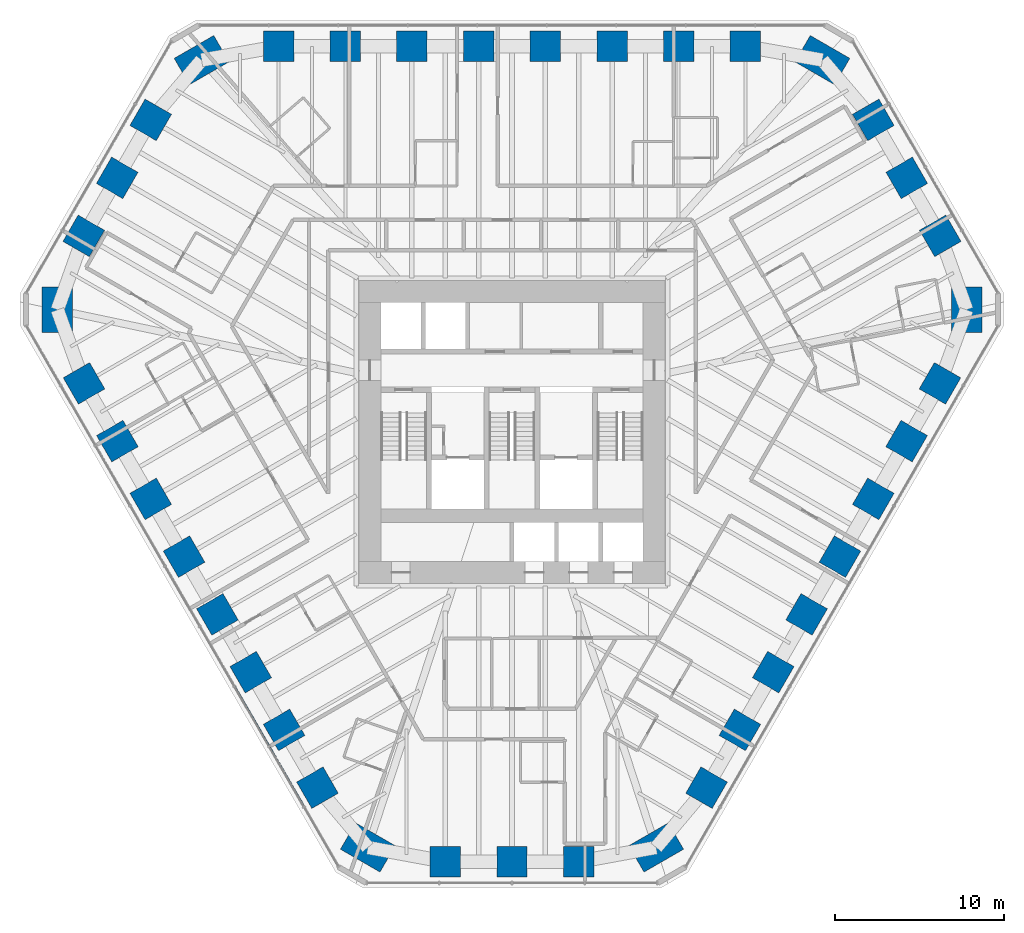
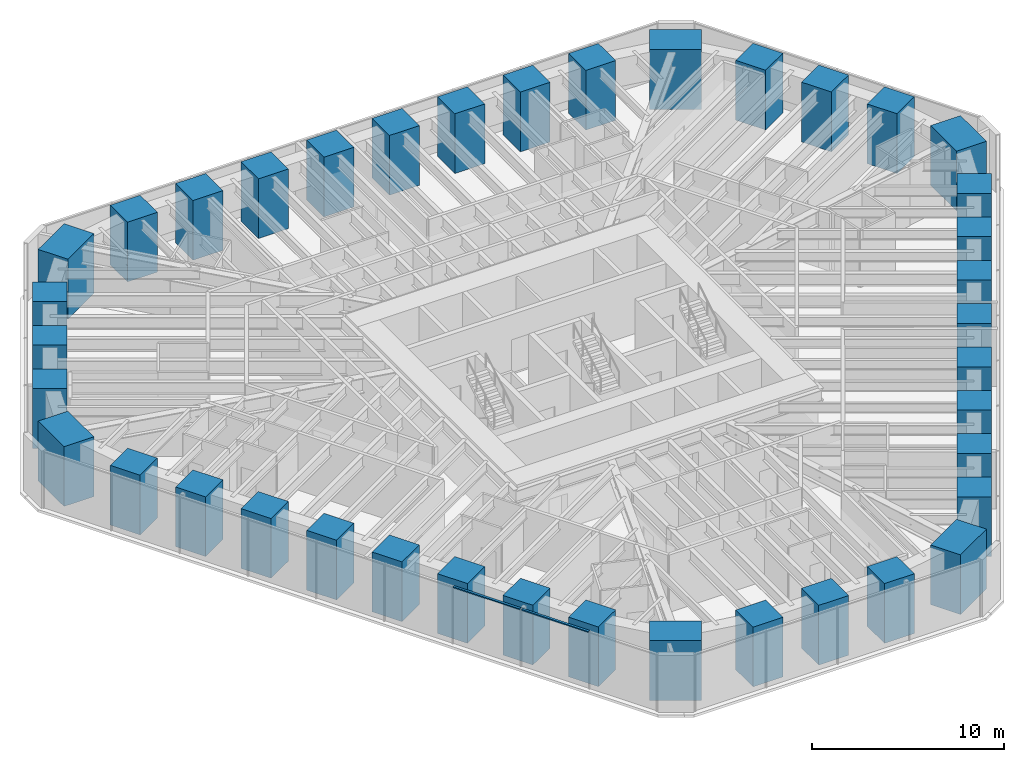
# One storey, part 1 of 17: 39 columns, 2 members, 1 element without a shape of its own.
"""IFC4 building model written with IfcOpenShell, lengths in metres."""

from ifc_helpers import new_model, si_unit, direction, frame, origin, origin_2d, place, context, subcontext, project, spatial, rectangle, extrude, material, material_profile, profile_set, type_object, element, aggregate, save


model = new_model("IFC4")

# Units and contexts
model_context = context("Model", 3, precision=1e-05, world=origin(), true_north=direction((0.0, 1.0)))
body_context = subcontext(model_context, "Body", "Model", "MODEL_VIEW")
ifc_project = project(units=[si_unit("LENGTHUNIT", "METRE"), si_unit("AREAUNIT", "SQUARE_METRE"), si_unit("VOLUMEUNIT", "CUBIC_METRE"), si_unit("PLANEANGLEUNIT", "RADIAN"), si_unit("MASSUNIT", "GRAM", prefix="KILO")], contexts=[model_context])

# Site, building, storey
site_placement = place(None, origin())
site = spatial("IfcSite", under=ifc_project, at=site_placement, CompositionType="ELEMENT")
building_placement = place(site_placement, origin())
building = spatial("IfcBuilding", under=site, at=building_placement, Name="Sandreach Pilgrim Tower", CompositionType="ELEMENT")
storey_placement = place(building_placement, frame((0.0, 0.0, 142.39990234375)))
storey = spatial("IfcBuildingStorey", under=building, at=storey_placement, Name="L35", CompositionType="ELEMENT", Elevation=142.39990234375)

# Columns
ifc_material_1 = material(Name="Concrete 10000 psi", Category="concrete")
ifc_material_profile_1 = material_profile(ifc_material_1, rectangle(XDim=1.800048828125, YDim=1.800048828125, at=origin_2d()), Name="RC1800X1800")
ifc_profile_set_1 = profile_set([ifc_material_profile_1], Name="Concrete 10000 psi")
column_type_1 = type_object("IfcColumnType", Name="Tube column RC1800X1800", PredefinedType="COLUMN", material=ifc_profile_set_1)
for number, where, z_axis, x_axis, name in (
    (1, (-13.789794921875, 21.23388671875, 0.0), (0.0, 0.0, 1.0), (0.0, 1.0, 0.0), "COL L35 T01"),
    (2, (-9.849853515625, 21.23388671875, 0.0), (0.0, 0.0, 1.0), (0.0, 1.0, 0.0), "COL L35 T02"),
    (3, (-5.909912109375, 21.23388671875, 0.0), (0.0, 0.0, 1.0), (0.0, 1.0, 0.0), "COL L35 T03"),
    (4, (-1.969970703125, 21.23388671875, 0.0), (0.0, 0.0, 1.0), (0.0, 1.0, 0.0), "COL L35 T04"),
    (5, (1.969970703125, 21.23388671875, 0.0), (0.0, 0.0, 1.0), (0.0, 1.0, 0.0), "COL L35 T05"),
    (6, (5.909912109375, 21.23388671875, 0.0), (0.0, 0.0, 1.0), (0.0, 1.0, 0.0), "COL L35 T06"),
    (7, (9.849853515625, 21.23388671875, 0.0), (0.0, 0.0, 1.0), (0.0, 1.0, 0.0), "COL L35 T07"),
    (8, (13.789794921875, 21.23388671875, 0.0), (0.0, 0.0, 1.0), (0.0, 1.0, 0.0), "COL L35 T08"),
    (9, (21.346435546875, 16.891357421875, 0.0), (0.0, 0.0, 1.0), (0.866025403784, 0.5, 0.0), "COL L35 T10"),
    (10, (23.323974609375, 13.466064453125, 0.0), (0.0, 0.0, 1.0), (0.866025403784, 0.5, 0.0), "COL L35 T11"),
    (11, (25.301513671875, 10.040771484375, 0.0), (0.0, 0.0, 1.0), (0.866025403784, 0.5, 0.0), "COL L35 T12"),
    (12, (25.283935546875, 1.325439453125, 0.0), (0.0, 0.0, 1.0), (0.866025403784, -0.5, 0.0), "COL L35 T14"),
    (13, (23.31396484375, -2.086669921875, 0.0), (0.0, 0.0, 1.0), (0.866025403784, -0.5, 0.0), "COL L35 T15"),
    (14, (21.343994140625, -5.498779296875, 0.0), (0.0, 0.0, 1.0), (0.866025403784, -0.5, 0.0), "COL L35 T16"),
    (15, (19.3740234375, -8.910888671875, 0.0), (0.0, 0.0, 1.0), (0.866025403784, -0.5, 0.0), "COL L35 T17"),
    (16, (17.404052734375, -12.322998046875, 0.0), (0.0, 0.0, 1.0), (0.866025403784, -0.5, 0.0), "COL L35 T18"),
    (17, (15.43408203125, -15.735107421875, 0.0), (0.0, 0.0, 1.0), (0.866025403784, -0.5, 0.0), "COL L35 T19"),
    (18, (13.464111328125, -19.147216796875, 0.0), (0.0, 0.0, 1.0), (0.866025403784, -0.5, 0.0), "COL L35 T20"),
    (19, (11.494140625, -22.559326171875, 0.0), (0.0, 0.0, 1.0), (0.866025403784, -0.5, 0.0), "COL L35 T21"),
    (20, (3.955322265625, -26.93212890625, 0.0), (0.0, 0.0, 1.0), (0.0, -1.0, 0.0), "COL L35 T23"),
    (21, (0.0, -26.93212890625, 0.0), (0.0, 0.0, 1.0), (0.0, -1.0, 0.0), "COL L35 T24"),
    (22, (-3.955322265625, -26.93212890625, 0.0), (0.0, 0.0, 1.0), (0.0, -1.0, 0.0), "COL L35 T25"),
    (23, (-11.494140625, -22.559326171875, 0.0), (0.0, 0.0, 1.0), (-0.866025403784, -0.5, 0.0), "COL L35 T27"),
    (24, (-13.464111328125, -19.147216796875, 0.0), (0.0, 0.0, 1.0), (-0.866025403784, -0.5, 0.0), "COL L35 T28"),
    (25, (-15.43408203125, -15.735107421875, 0.0), (0.0, 0.0, 1.0), (-0.866025403784, -0.5, 0.0), "COL L35 T29"),
    (26, (-17.404052734375, -12.322998046875, 0.0), (0.0, 0.0, 1.0), (-0.866025403784, -0.5, 0.0), "COL L35 T30"),
    (27, (-19.3740234375, -8.910888671875, 0.0), (0.0, 0.0, 1.0), (-0.866025403784, -0.5, 0.0), "COL L35 T31"),
    (28, (-21.343994140625, -5.498779296875, 0.0), (0.0, 0.0, 1.0), (-0.866025403784, -0.5, 0.0), "COL L35 T32"),
    (29, (-23.31396484375, -2.086669921875, 0.0), (0.0, 0.0, 1.0), (-0.866025403784, -0.5, 0.0), "COL L35 T33"),
    (30, (-25.283935546875, 1.325439453125, 0.0), (0.0, 0.0, 1.0), (-0.866025403784, -0.5, 0.0), "COL L35 T34"),
    (31, (-25.301513671875, 10.040771484375, 0.0), (0.0, 0.0, 1.0), (-0.866025403784, 0.5, 0.0), "COL L35 T36"),
    (32, (-23.323974609375, 13.466064453125, 0.0), (0.0, 0.0, 1.0), (-0.866025403784, 0.5, 0.0), "COL L35 T37"),
    (33, (-21.346435546875, 16.891357421875, 0.0), (0.0, 0.0, 1.0), (-0.866025403784, 0.5, 0.0), "COL L35 T38"),
):
    element("IfcColumn", number, at=place(storey_placement, frame(where, z_axis=z_axis, x_axis=x_axis)), inside=storey, type_object=column_type_1, Name=name, PredefinedType="COLUMN", context=body_context, shape_type="SweptSolid", body=[
        extrude(rectangle(XDim=1.800048828125, YDim=1.800048828125, at=origin_2d()), origin(), (0.0, 0.0, 1.0), 3.800048828125),
    ])
ifc_material_2 = material(Name="Concrete 10000 psi", Category="concrete")
ifc_material_profile_2 = material_profile(ifc_material_2, rectangle(XDim=1.800048828125, YDim=2.699951171875, at=origin_2d()), Name="RC1800X2700")
ifc_profile_set_2 = profile_set([ifc_material_profile_2], Name="Concrete 10000 psi")
column_type_2 = type_object("IfcColumnType", Name="Tube corner pier RC1800X2700", PredefinedType="COLUMN", material=ifc_profile_set_2)
for number, where, z_axis, x_axis, name in (
    (34, (18.33935546875, 20.423828125, 0.0), (0.0, 0.0, 1.0), (0.5, 0.866025403784, 0.0), "COL L35 T09"),
    (35, (26.857177734375, 5.67041015625, 0.0), (0.0, 0.0, 1.0), (1.0, 0.0, 0.0), "COL L35 T13"),
    (36, (8.517822265625, -26.09423828125, 0.0), (0.0, 0.0, 1.0), (0.5, -0.866025403784, 0.0), "COL L35 T22"),
    (37, (-8.517822265625, -26.09423828125, 0.0), (0.0, 0.0, 1.0), (-0.5, -0.866025403784, 0.0), "COL L35 T26"),
    (38, (-26.857177734375, 5.67041015625, 0.0), (0.0, 0.0, 1.0), (-1.0, 0.0, 0.0), "COL L35 T35"),
    (39, (-18.33935546875, 20.423828125, 0.0), (0.0, 0.0, 1.0), (-0.5, 0.866025403784, 0.0), "COL L35 T39"),
):
    element("IfcColumn", number, at=place(storey_placement, frame(where, z_axis=z_axis, x_axis=x_axis)), inside=storey, type_object=column_type_2, Name=name, PredefinedType="COLUMN", context=body_context, shape_type="SweptSolid", body=[
        extrude(rectangle(XDim=1.800048828125, YDim=2.699951171875, at=origin_2d()), origin(), (0.0, 0.0, 1.0), 3.800048828125),
    ])

# Curtain wall, members
ifc_material_3 = material(Name="Aluminium framed curtain wall", Category="aluminium")
curtain_wall_type = type_object("IfcCurtainWallType", Name="Hotel tower curtain wall", PredefinedType="NOTDEFINED", material=ifc_material_3)
curtain_wall_placement = place(storey_placement, origin())
curtain_wall = element("IfcCurtainWall", 40, at=curtain_wall_placement, inside=storey, type_object=curtain_wall_type, Name="CW-2 L35 SW", PredefinedType="NOTDEFINED")
ifc_material_4 = material(Name="Aluminium extrusion", Category="aluminium")
ifc_material_profile_3 = material_profile(ifc_material_4, rectangle(XDim=0.139892578125, YDim=0.070068359375, at=origin_2d()), Name="CW-2T 140X70")
ifc_profile_set_3 = profile_set([ifc_material_profile_3], Name="Aluminium extrusion")
member_type = type_object("IfcMemberType", Name="CW-2 transom", PredefinedType="USERDEFINED", material=ifc_profile_set_3)
member_1_placement = place(storey_placement, frame((-12.309326171875, -23.667236328125, 3.60498046875), z_axis=(-0.500023973715, 0.866011562111, 0.0), x_axis=(-0.866011562111, -0.500023973715, 0.0)))
member_1 = element("IfcMember", 41, at=member_1_placement, type_object=member_type, Name="CW-2 head transom 2", ObjectType="TRANSOM", PredefinedType="USERDEFINED", context=body_context, shape_type="SweptSolid", body=[
    extrude(rectangle(XDim=0.139892578125, YDim=0.070068359375, at=origin_2d()), origin(), (0.0, 0.0, 1.0), 4.041748046875),
])
member_2_placement = place(storey_placement, frame((-14.36279296875, -20.110595703125, 3.60498046875), z_axis=(-0.499997818338, 0.866026663364, 0.0), x_axis=(-0.866026663364, -0.499997818338, 0.0)))
member_2 = element("IfcMember", 42, at=member_2_placement, type_object=member_type, Name="CW-2 head transom 3", ObjectType="TRANSOM", PredefinedType="USERDEFINED", context=body_context, shape_type="SweptSolid", body=[
    extrude(rectangle(XDim=0.139892578125, YDim=0.070068359375, at=origin_2d()), origin(), (0.0, 0.0, 1.0), 4.0419921875),
])
aggregate(curtain_wall, [member_1, member_2])

save(model, "model.ifc")
